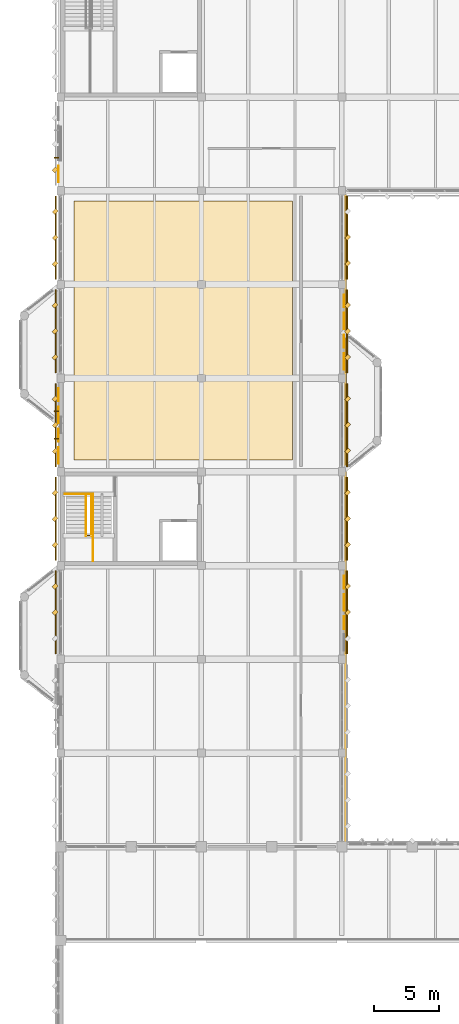
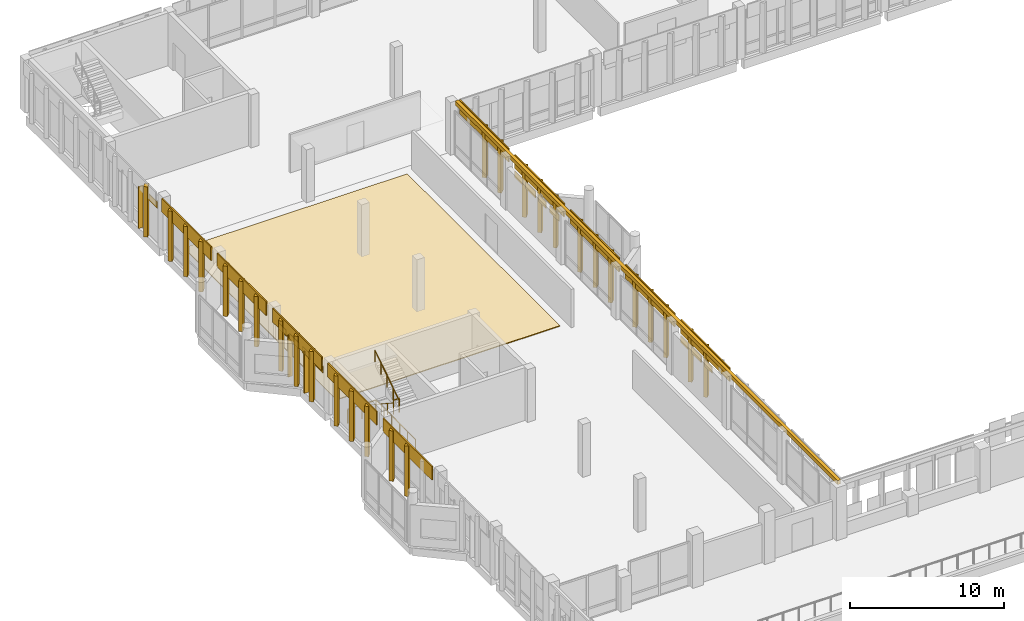
# One storey, part 148 of 158: 55 coverings, 4 railings.
"""IFC4 building model written with IfcOpenShell, lengths in metres."""

from ifc_helpers import new_model, si_unit, direction, frame, origin, origin_2d, place, context, subcontext, project, spatial, polyline, rectangle, circle, outline, extrude, material, layer, layer_set, type_object, element, save


model = new_model("IFC4")

# Units and contexts
model_context = context("Model", 3, precision=1e-05, world=origin(), true_north=direction((0.0, 1.0)))
body_context = subcontext(model_context, "Body", "Model", "MODEL_VIEW")
ifc_project = project(units=[si_unit("LENGTHUNIT", "METRE"), si_unit("AREAUNIT", "SQUARE_METRE"), si_unit("VOLUMEUNIT", "CUBIC_METRE"), si_unit("PLANEANGLEUNIT", "RADIAN"), si_unit("MASSUNIT", "GRAM", prefix="KILO")], contexts=[model_context])

# Site, building, storey
site_placement = place(None, origin())
site = spatial("IfcSite", under=ifc_project, at=site_placement, CompositionType="ELEMENT")
building_placement = place(site_placement, origin())
building = spatial("IfcBuilding", under=site, at=building_placement, Name="Lusvemor Sports Hall", CompositionType="ELEMENT")
storey_placement = place(building_placement, frame((0.0, 0.0, 10.800048828125)))
storey = spatial("IfcBuildingStorey", under=building, at=storey_placement, Name="L02", CompositionType="ELEMENT", Elevation=10.800048828125)

# Coverings
ifc_material_1 = material(Name="Precast granite-faced Concrete C40/50 architectural cladding", Category="masonry")
ifc_layer_1 = layer(ifc_material_1, 0.055908203125)
ifc_layer_set_1 = layer_set([ifc_layer_1], Name="Precast granite-faced Concrete C40/50 architectural cladding")
covering_type_1 = type_object("IfcCoveringType", Name="CLAD_RELIEF_FRIEZE", PredefinedType="CLADDING", material=ifc_layer_set_1)
covering_1_placement = place(storey_placement, frame((21.820068359375, 72.0, 3.8798828125), z_axis=(0.0, 0.0, 1.0), x_axis=(1.0, 0.0, 0.0)))
element("IfcCovering", 1, at=covering_1_placement, inside=storey, type_object=covering_type_1, Name="Art Nouveau Sculpted Roofline Cornice 1471", PredefinedType="CLADDING", context=body_context, shape_type="SweptSolid", body=[
    extrude(rectangle(XDim=0.239990234375, YDim=49.800048828125, at=origin_2d()), origin(), (0.0, 0.0, 1.0), 0.320068359375),
])
ifc_material_2 = material(Name="Emerald polychrome glazed ceramic cladding on Concrete C40/50 backing", Category="concrete")
ifc_layer_2 = layer(ifc_material_2, 0.0458984375)
ifc_layer_set_2 = layer_set([ifc_layer_2], Name="Emerald polychrome glazed ceramic cladding on Concrete C40/50 backing")
covering_type_2 = type_object("IfcCoveringType", Name="CLAD_WAVE_EMERALD", PredefinedType="CLADDING", material=ifc_layer_set_2)
for number, where, z_axis, x_axis, name in (
    (2, (-0.16552734375, 76.875, 2.7451171875), (0.0, 0.0, 1.0), (1.0, 0.0, 0.0), "Art Nouveau Patterned Cladding PS-EW-L02-W-0-4-1"),
    (3, (-0.16552734375, 79.97509765625, 2.7451171875), (0.0, 0.0, 1.0), (1.0, 0.0, 0.0), "Art Nouveau Patterned Cladding PS-EW-L02-W-0-4-3"),
    (4, (-0.16552734375, 98.47509765625, 2.7451171875), (0.0, 0.0, 1.0), (1.0, 0.0, 0.0), "Art Nouveau Patterned Cladding PS-EW-L02-W-0-7-1"),
    (5, (21.765380859375, 65.574951171875, 2.7451171875), (0.0, 0.0, 1.0), (1.0, 0.0, 0.0), "Art Nouveau Patterned Cladding PS-EW-L02-E-5-2-3"),
    (6, (21.765380859375, 84.074951171875, 2.7451171875), (0.0, 0.0, 1.0), (1.0, 0.0, 0.0), "Art Nouveau Patterned Cladding PS-EW-L02-E-5-5-1"),
    (7, (21.765380859375, 87.175048828125, 2.7451171875), (0.0, 0.0, 1.0), (1.0, 0.0, 0.0), "Art Nouveau Patterned Cladding PS-EW-L02-E-5-5-3"),
):
    element("IfcCovering", number, at=place(storey_placement, frame(where, z_axis=z_axis, x_axis=x_axis)), inside=storey, type_object=covering_type_2, Name=name, PredefinedType="CLADDING", context=body_context, shape_type="SweptSolid", body=[
        extrude(rectangle(XDim=0.0458984375, YDim=1.27099609375, at=origin_2d()), origin(), (0.0, 0.0, 1.0), 0.510009765625),
    ])
for number, where, z_axis, x_axis, name in (
    (8, (-0.43994140625, 64.800048828125, 0.099853515625), (0.0, 0.0, 1.0), (0.707106781187, 0.707106781187, 0.0), "Patterned Diamond Cladding Rib 1027"),
    (9, (-0.43994140625, 72.0, 0.099853515625), (0.0, 0.0, 1.0), (0.707106781187, 0.707106781187, 0.0), "Patterned Diamond Cladding Rib 1043"),
    (10, (-0.43994140625, 79.199951171875, 0.099853515625), (0.0, 0.0, 1.0), (0.707106781187, 0.707106781187, 0.0), "Patterned Diamond Cladding Rib 1059"),
    (11, (-0.43994140625, 86.39990234375, 0.099853515625), (0.0, 0.0, 1.0), (0.707106781187, 0.707106781187, 0.0), "Patterned Diamond Cladding Rib 1075"),
    (12, (-0.43994140625, 93.60009765625, 0.099853515625), (0.0, 0.0, 1.0), (0.707106781187, 0.707106781187, 0.0), "Patterned Diamond Cladding Rib 1091"),
    (13, (22.0400390625, 64.800048828125, 0.099853515625), (0.0, 0.0, 1.0), (0.707106781187, 0.707106781187, 0.0), "Patterned Diamond Cladding Rib 1421"),
    (14, (22.0400390625, 72.0, 0.099853515625), (0.0, 0.0, 1.0), (0.707106781187, 0.707106781187, 0.0), "Patterned Diamond Cladding Rib 1433"),
    (15, (22.0400390625, 79.199951171875, 0.099853515625), (0.0, 0.0, 1.0), (0.707106781187, 0.707106781187, 0.0), "Patterned Diamond Cladding Rib 1445"),
    (16, (22.0400390625, 86.39990234375, 0.099853515625), (0.0, 0.0, 1.0), (0.707106781187, 0.707106781187, 0.0), "Patterned Diamond Cladding Rib 1457"),
    (17, (22.0400390625, 93.60009765625, 0.099853515625), (0.0, 0.0, 1.0), (0.707106781187, 0.707106781187, 0.0), "Patterned Diamond Cladding Rib 1469"),
):
    element("IfcCovering", number, at=place(storey_placement, frame(where, z_axis=z_axis, x_axis=x_axis)), inside=storey, type_object=covering_type_2, Name=name, PredefinedType="CLADDING", context=body_context, shape_type="SweptSolid", body=[
        extrude(rectangle(XDim=0.3798828125, YDim=0.280029296875, at=origin_2d()), origin(), (0.0, 0.0, 1.0), 4.0),
    ])
ifc_material_3 = material(Name="Warm terracotta Art Nouveau ceramic cladding on Concrete C40/50 backing", Category="masonry")
ifc_layer_3 = layer(ifc_material_3, 0.0380859375)
ifc_layer_set_3 = layer_set([ifc_layer_3], Name="Warm terracotta Art Nouveau ceramic cladding on Concrete C40/50 backing")
covering_type_3 = type_object("IfcCoveringType", Name="CLAD_WAVE_OCHRE", PredefinedType="CLADDING", material=ifc_layer_set_3)
for number, where, z_axis, x_axis, name in (
    (18, (-0.16162109375, 78.425048828125, 2.7451171875), (0.0, 0.0, 1.0), (1.0, 0.0, 0.0), "Art Nouveau Patterned Cladding PS-EW-L02-W-0-4-2"),
    (19, (-0.16162109375, 81.52490234375, 2.7451171875), (0.0, 0.0, 1.0), (1.0, 0.0, 0.0), "Art Nouveau Patterned Cladding PS-EW-L02-W-0-4-4"),
    (20, (21.761474609375, 64.02490234375, 2.7451171875), (0.0, 0.0, 1.0), (1.0, 0.0, 0.0), "Art Nouveau Patterned Cladding PS-EW-L02-E-5-2-2"),
    (21, (21.761474609375, 67.125, 2.7451171875), (0.0, 0.0, 1.0), (1.0, 0.0, 0.0), "Art Nouveau Patterned Cladding PS-EW-L02-E-5-2-4"),
    (22, (21.761474609375, 85.625, 2.7451171875), (0.0, 0.0, 1.0), (1.0, 0.0, 0.0), "Art Nouveau Patterned Cladding PS-EW-L02-E-5-5-2"),
    (23, (21.761474609375, 88.72509765625, 2.7451171875), (0.0, 0.0, 1.0), (1.0, 0.0, 0.0), "Art Nouveau Patterned Cladding PS-EW-L02-E-5-5-4"),
):
    element("IfcCovering", number, at=place(storey_placement, frame(where, z_axis=z_axis, x_axis=x_axis)), inside=storey, type_object=covering_type_3, Name=name, PredefinedType="CLADDING", context=body_context, shape_type="SweptSolid", body=[
        extrude(rectangle(XDim=0.0380859375, YDim=0.991943359375, at=origin_2d()), origin(), (0.0, 0.0, 1.0), 0.510009765625),
    ])
for number, where, z_axis, x_axis, name in (
    (24, (-0.389892578125, 64.800048828125, 3.179931640625), (0.0, 0.0, 1.0), (1.0, 0.0, 0.0), "Art Nouveau Spandrel Cornice 1025"),
    (25, (-0.389892578125, 72.0, 3.179931640625), (0.0, 0.0, 1.0), (1.0, 0.0, 0.0), "Art Nouveau Spandrel Cornice 1041"),
    (26, (-0.389892578125, 79.199951171875, 3.179931640625), (0.0, 0.0, 1.0), (1.0, 0.0, 0.0), "Art Nouveau Spandrel Cornice 1057"),
    (27, (-0.389892578125, 86.39990234375, 3.179931640625), (0.0, 0.0, 1.0), (1.0, 0.0, 0.0), "Art Nouveau Spandrel Cornice 1073"),
    (28, (-0.389892578125, 93.60009765625, 3.179931640625), (0.0, 0.0, 1.0), (1.0, 0.0, 0.0), "Art Nouveau Spandrel Cornice 1089"),
    (29, (21.989990234375, 64.800048828125, 3.179931640625), (0.0, 0.0, 1.0), (1.0, 0.0, 0.0), "Art Nouveau Spandrel Cornice 1419"),
    (30, (21.989990234375, 72.0, 3.179931640625), (0.0, 0.0, 1.0), (1.0, 0.0, 0.0), "Art Nouveau Spandrel Cornice 1431"),
    (31, (21.989990234375, 79.199951171875, 3.179931640625), (0.0, 0.0, 1.0), (1.0, 0.0, 0.0), "Art Nouveau Spandrel Cornice 1443"),
    (32, (21.989990234375, 86.39990234375, 3.179931640625), (0.0, 0.0, 1.0), (1.0, 0.0, 0.0), "Art Nouveau Spandrel Cornice 1455"),
    (33, (21.989990234375, 93.60009765625, 3.179931640625), (0.0, 0.0, 1.0), (1.0, 0.0, 0.0), "Art Nouveau Spandrel Cornice 1467"),
):
    element("IfcCovering", number, at=place(storey_placement, frame(where, z_axis=z_axis, x_axis=x_axis)), inside=storey, type_object=covering_type_3, Name=name, PredefinedType="CLADDING", context=body_context, shape_type="SweptSolid", body=[
        extrude(rectangle(XDim=0.090087890625, YDim=6.3798828125, at=origin_2d()), origin(), (0.0, 0.0, 1.0), 1.080078125),
    ])
ifc_material_4 = material(Name="FIBA-grade sprung maple sports flooring")
ifc_layer_4 = layer(ifc_material_4, 0.06591796875)
ifc_layer_set_4 = layer_set([ifc_layer_4], Name="FIBA-grade sprung maple sports flooring")
covering_type_4 = type_object("IfcCoveringType", Name="COV_SPRUNG_MAPLE", PredefinedType="FLOORING", material=ifc_layer_set_4)
covering_2_placement = place(storey_placement, origin())
element("IfcCovering", 34, at=covering_2_placement, inside=storey, type_object=covering_type_4, Name="Sprung Maple Flooring COV-MAPLE-DANCE3", PredefinedType="FLOORING", context=body_context, shape_type="SweptSolid", body=[
    extrude(outline(polyline([(1.0, 76.5), (17.800048828125, 76.5), (17.800048828125, 96.39990234375), (1.0, 96.39990234375), (1.0, 76.5)])), origin(), (0.0, 0.0, 1.0), 0.06591796875),
])
ifc_material_5 = material(Name="Emerald polychrome glazed ceramic cladding on Concrete C40/50 backing", Category="concrete")
ifc_layer_5 = layer(ifc_material_5, 0.35009765625)
ifc_layer_set_5 = layer_set([ifc_layer_5], Name="Emerald polychrome glazed ceramic cladding on Concrete C40/50 backing")
covering_type_5 = type_object("IfcCoveringType", Name="FIN_BRISE_CER_350", PredefinedType="MOLDING", material=ifc_layer_set_5)
for number, where, z_axis, x_axis, name in (
    (35, (-0.327392578125, 78.139892578125, 0.10009765625), (0.0, 0.0, 1.0), (1.0, 0.0, 0.0), "Wing Brise-Soleil Fin L02-W-0-4-1"),
    (36, (-0.327392578125, 80.260009765625, 0.10009765625), (0.0, 0.0, 1.0), (1.0, 0.0, 0.0), "Wing Brise-Soleil Fin L02-W-0-4-2"),
    (37, (-0.327392578125, 99.739990234375, 0.10009765625), (0.0, 0.0, 1.0), (1.0, 0.0, 0.0), "Wing Brise-Soleil Fin L02-W-0-7-1"),
):
    element("IfcCovering", number, at=place(storey_placement, frame(where, z_axis=z_axis, x_axis=x_axis)), inside=storey, type_object=covering_type_5, Name=name, PredefinedType="MOLDING", context=body_context, shape_type="SweptSolid", body=[
        extrude(rectangle(XDim=0.35009765625, YDim=0.080078125, at=origin_2d()), origin(), (0.0, 0.0, 1.0), 3.320068359375),
    ])
ifc_material_6 = material(Name="Warm terracotta Art Nouveau ceramic cladding on Concrete C40/50 backing", Category="masonry")
ifc_layer_6 = layer(ifc_material_6, 0.449951171875)
ifc_layer_set_6 = layer_set([ifc_layer_6], Name="Warm terracotta Art Nouveau ceramic cladding on Concrete C40/50 backing")
covering_type_6 = type_object("IfcCoveringType", Name="FIN_BRISE_CER_450", PredefinedType="MOLDING", material=ifc_layer_set_6)
for number, where, z_axis, x_axis, name in (
    (38, (-0.43994140625, 66.800048828125, 0.099853515625), (0.0, 0.0, 1.0), (0.707106781187, 0.707106781187, 0.0), "Patterned Diamond Cladding Rib 1028"),
    (39, (-0.43994140625, 70.0, 0.099853515625), (0.0, 0.0, 1.0), (0.707106781187, 0.707106781187, 0.0), "Patterned Diamond Cladding Rib 1042"),
    (40, (-0.43994140625, 74.0, 0.099853515625), (0.0, 0.0, 1.0), (0.707106781187, 0.707106781187, 0.0), "Patterned Diamond Cladding Rib 1044"),
    (41, (-0.43994140625, 77.199951171875, 0.099853515625), (0.0, 0.0, 1.0), (0.707106781187, 0.707106781187, 0.0), "Patterned Diamond Cladding Rib 1058"),
    (42, (-0.43994140625, 81.199951171875, 0.099853515625), (0.0, 0.0, 1.0), (0.707106781187, 0.707106781187, 0.0), "Patterned Diamond Cladding Rib 1060"),
    (43, (-0.43994140625, 84.39990234375, 0.099853515625), (0.0, 0.0, 1.0), (0.707106781187, 0.707106781187, 0.0), "Patterned Diamond Cladding Rib 1074"),
    (44, (-0.43994140625, 88.39990234375, 0.099853515625), (0.0, 0.0, 1.0), (0.707106781187, 0.707106781187, 0.0), "Patterned Diamond Cladding Rib 1076"),
    (45, (-0.43994140625, 91.60009765625, 0.099853515625), (0.0, 0.0, 1.0), (0.707106781187, 0.707106781187, 0.0), "Patterned Diamond Cladding Rib 1090"),
    (46, (-0.43994140625, 95.60009765625, 0.099853515625), (0.0, 0.0, 1.0), (0.707106781187, 0.707106781187, 0.0), "Patterned Diamond Cladding Rib 1092"),
    (47, (-0.43994140625, 98.800048828125, 0.099853515625), (0.0, 0.0, 1.0), (0.707106781187, 0.707106781187, 0.0), "Patterned Diamond Cladding Rib 1109"),
    (48, (22.0400390625, 66.800048828125, 0.099853515625), (0.0, 0.0, 1.0), (0.707106781187, 0.707106781187, 0.0), "Patterned Diamond Cladding Rib 1422"),
    (49, (22.0400390625, 70.0, 0.099853515625), (0.0, 0.0, 1.0), (0.707106781187, 0.707106781187, 0.0), "Patterned Diamond Cladding Rib 1432"),
    (50, (22.0400390625, 74.0, 0.099853515625), (0.0, 0.0, 1.0), (0.707106781187, 0.707106781187, 0.0), "Patterned Diamond Cladding Rib 1434"),
    (51, (22.0400390625, 77.199951171875, 0.099853515625), (0.0, 0.0, 1.0), (0.707106781187, 0.707106781187, 0.0), "Patterned Diamond Cladding Rib 1444"),
    (52, (22.0400390625, 81.199951171875, 0.099853515625), (0.0, 0.0, 1.0), (0.707106781187, 0.707106781187, 0.0), "Patterned Diamond Cladding Rib 1446"),
    (53, (22.0400390625, 84.39990234375, 0.099853515625), (0.0, 0.0, 1.0), (0.707106781187, 0.707106781187, 0.0), "Patterned Diamond Cladding Rib 1456"),
    (54, (22.0400390625, 88.39990234375, 0.099853515625), (0.0, 0.0, 1.0), (0.707106781187, 0.707106781187, 0.0), "Patterned Diamond Cladding Rib 1458"),
    (55, (22.0400390625, 91.60009765625, 0.099853515625), (0.0, 0.0, 1.0), (0.707106781187, 0.707106781187, 0.0), "Patterned Diamond Cladding Rib 1468"),
):
    element("IfcCovering", number, at=place(storey_placement, frame(where, z_axis=z_axis, x_axis=x_axis)), inside=storey, type_object=covering_type_6, Name=name, PredefinedType="MOLDING", context=body_context, shape_type="SweptSolid", body=[
        extrude(rectangle(XDim=0.3798828125, YDim=0.280029296875, at=origin_2d()), origin(), (0.0, 0.0, 1.0), 4.0),
    ])

# Railings
ifc_material_7 = material(Name="Bronze-finished wrought-steel Art Nouveau balustrade", Category="steel")
railing_type_1 = type_object("IfcRailingType", Name="RAIL_HANDRAIL_092", PredefinedType="HANDRAIL", material=ifc_material_7)
railing_1_placement = place(storey_placement, frame((1.929931640625, 73.8798828125, 0.0)))
element("IfcRailing", 56, at=railing_1_placement, inside=storey, type_object=railing_type_1, Name="Stair STR-C3-L02 Handrail F1", PredefinedType="HANDRAIL", context=body_context, shape_type="SweptSolid", body=[
    extrude(circle(Radius=0.02392578125, at=origin_2d()), frame((0.0, 0.0, 0.89599609375), z_axis=(0.0, -0.835271834381, 0.549837214719), x_axis=(1.0, 0.0, 0.0)), (0.0, 0.0, 1.0), 3.819091796875),
    extrude(circle(Radius=0.02099609375, at=origin_2d()), origin(), (0.0, 0.0, 1.0), 0.871826171875),
    extrude(circle(Radius=0.02099609375, at=origin_2d()), frame((0.0, -0.79736328125, 0.52490234375)), (0.0, 0.0, 1.0), 0.871826171875),
    extrude(circle(Radius=0.02099609375, at=origin_2d()), frame((0.0, -1.594970703125, 1.0498046875)), (0.0, 0.0, 1.0), 0.871826171875),
    extrude(circle(Radius=0.02099609375, at=origin_2d()), frame((0.0, -2.392578125, 1.574951171875)), (0.0, 0.0, 1.0), 0.871826171875),
    extrude(circle(Radius=0.02099609375, at=origin_2d()), frame((0.0, -3.18994140625, 2.099853515625)), (0.0, 0.0, 1.0), 0.871826171875),
])
railing_2_placement = place(storey_placement, frame((2.3701171875, 70.68994140625, 2.099853515625)))
element("IfcRailing", 57, at=railing_2_placement, inside=storey, type_object=railing_type_1, Name="Stair STR-C3-L02 Handrail F2", PredefinedType="HANDRAIL", context=body_context, shape_type="SweptSolid", body=[
    extrude(circle(Radius=0.02392578125, at=origin_2d()), frame((0.0, 0.0, 0.89599609375), z_axis=(0.0, 0.835242474824, 0.549881812983), x_axis=(-1.0, 0.0, 0.0)), (0.0, 0.0, 1.0), 3.819091796875),
    extrude(circle(Radius=0.02099609375, at=origin_2d()), origin(), (0.0, 0.0, 1.0), 0.871826171875),
    extrude(circle(Radius=0.02099609375, at=origin_2d()), frame((0.0, 0.79736328125, 0.52490234375)), (0.0, 0.0, 1.0), 0.871826171875),
    extrude(circle(Radius=0.02099609375, at=origin_2d()), frame((0.0, 1.594970703125, 1.050048828125)), (0.0, 0.0, 1.0), 0.871826171875),
    extrude(circle(Radius=0.02099609375, at=origin_2d()), frame((0.0, 2.392578125, 1.5751953125)), (0.0, 0.0, 1.0), 0.871826171875),
    extrude(circle(Radius=0.02099609375, at=origin_2d()), frame((0.0, 3.18994140625, 2.10009765625)), (0.0, 0.0, 1.0), 0.871826171875),
])
ifc_material_8 = material(Name="Bronze-finished wrought-steel Art Nouveau balustrade", Category="steel")
railing_type_2 = type_object("IfcRailingType", Name="RAIL_STAIR_GUARD_112", PredefinedType="GUARDRAIL", material=ifc_material_8)
railing_3_placement = place(storey_placement, frame((0.340087890625, 73.89990234375, 0.0)))
element("IfcRailing", 58, at=railing_3_placement, inside=storey, type_object=railing_type_2, Name="Stairwell C3 Top Guard (L02)", PredefinedType="GUARDRAIL", context=body_context, shape_type="SweptSolid", body=[
    extrude(circle(Radius=0.02392578125, at=origin_2d()), frame((0.0, 0.0, 1.09619140625), z_axis=(1.0, 0.0, 0.0), x_axis=(0.0, 1.0, 0.0)), (0.0, 0.0, 1.0), 2.119873046875),
    extrude(circle(Radius=0.02392578125, at=origin_2d()), frame((2.119873046875, 0.0, 1.09619140625), z_axis=(0.0, -1.0, 0.0), x_axis=(1.0, 0.0, 0.0)), (0.0, 0.0, 1.0), 5.159912109375),
    extrude(circle(Radius=0.02099609375, at=origin_2d()), origin(), (0.0, 0.0, 1.0), 1.072021484375),
    extrude(circle(Radius=0.02099609375, at=origin_2d()), frame((1.06005859375, 0.0, 0.0)), (0.0, 0.0, 1.0), 1.072021484375),
    extrude(circle(Radius=0.02099609375, at=origin_2d()), frame((2.119873046875, 0.0, 0.0)), (0.0, 0.0, 1.0), 1.072021484375),
    extrude(circle(Radius=0.02099609375, at=origin_2d()), frame((2.119873046875, -1.031982421875, 0.0)), (0.0, 0.0, 1.0), 1.072021484375),
    extrude(circle(Radius=0.02099609375, at=origin_2d()), frame((2.119873046875, -2.06396484375, 0.0)), (0.0, 0.0, 1.0), 1.072021484375),
    extrude(circle(Radius=0.02099609375, at=origin_2d()), frame((2.119873046875, -3.095947265625, 0.0)), (0.0, 0.0, 1.0), 1.072021484375),
    extrude(circle(Radius=0.02099609375, at=origin_2d()), frame((2.119873046875, -4.1279296875, 0.0)), (0.0, 0.0, 1.0), 1.072021484375),
    extrude(circle(Radius=0.02099609375, at=origin_2d()), frame((2.119873046875, -5.159912109375, 0.0)), (0.0, 0.0, 1.0), 1.072021484375),
])
railing_4_placement = place(storey_placement, frame((1.929931640625, 70.7099609375, 2.099853515625)))
element("IfcRailing", 59, at=railing_4_placement, inside=storey, type_object=railing_type_2, Name="Stair STR-C3-L02 Mid Well Guard", PredefinedType="GUARDRAIL", context=body_context, shape_type="SweptSolid", body=[
    extrude(circle(Radius=0.02392578125, at=origin_2d()), frame((0.0, 0.0, 1.09619140625), z_axis=(1.0, 0.0, 0.0), x_axis=(0.0, 1.0, 0.0)), (0.0, 0.0, 1.0), 0.440185546875),
    extrude(circle(Radius=0.02099609375, at=origin_2d()), origin(), (0.0, 0.0, 1.0), 1.072021484375),
    extrude(circle(Radius=0.02099609375, at=origin_2d()), frame((0.440185546875, 0.0, 0.0)), (0.0, 0.0, 1.0), 1.072021484375),
])

save(model, "model.ifc")
